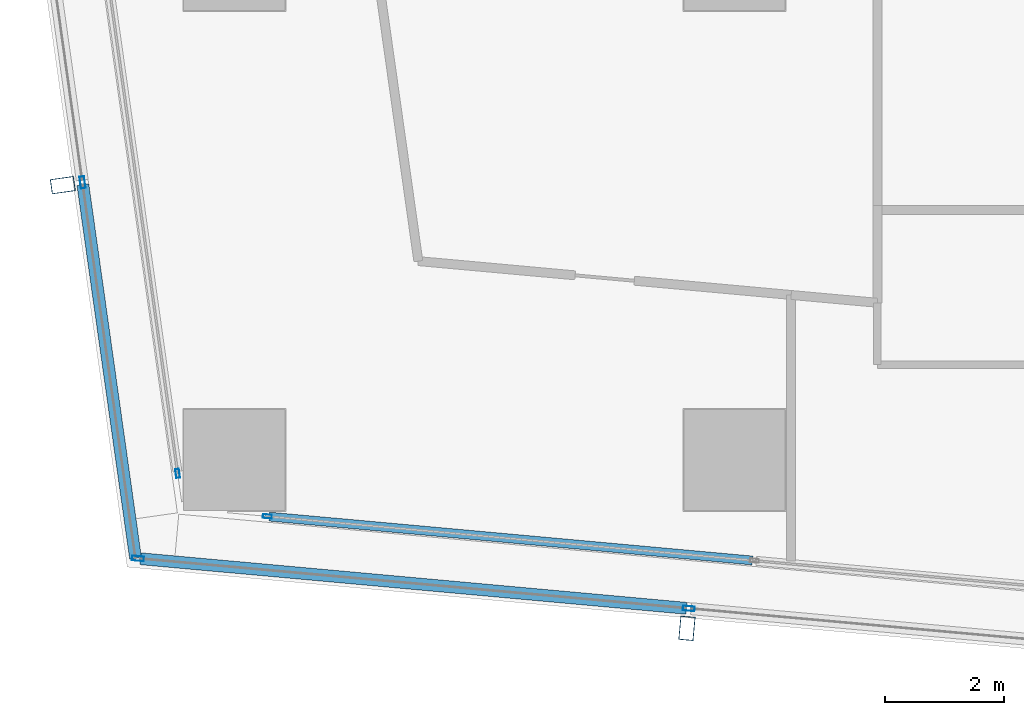
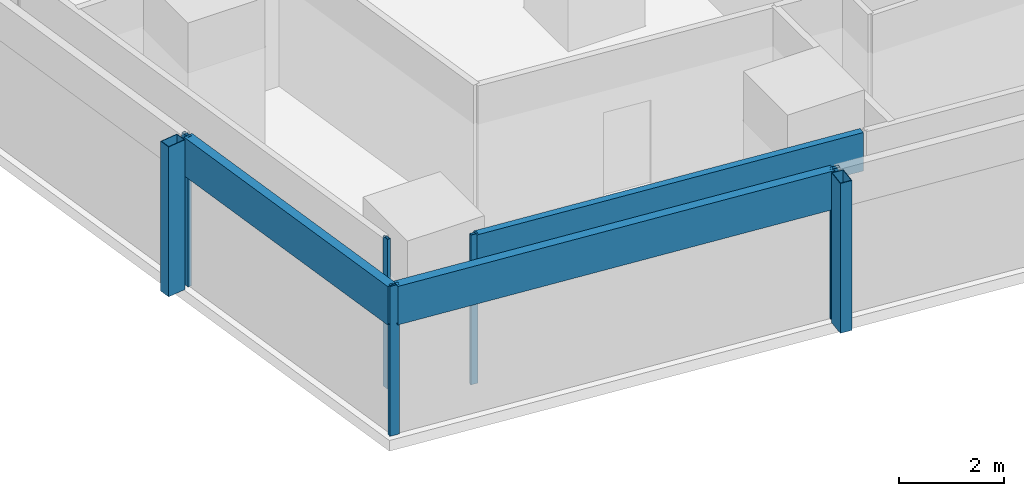
# One storey, part 2 of 40: 10 members, 4 elements without a shape of their own.
"""IFC4 building model written with IfcOpenShell, lengths in metres."""

from ifc_helpers import new_model, si_unit, direction, frame, origin, origin_2d, place, context, subcontext, project, spatial, hollow_rectangle, extrude, material, material_profile, profile_set, type_object, element, aggregate, save


model = new_model("IFC4")

# Units and contexts
model_context = context("Model", 3, precision=1e-05, world=origin(), true_north=direction((0.0, 1.0)))
body_context = subcontext(model_context, "Body", "Model", "MODEL_VIEW")
ifc_project = project(units=[si_unit("LENGTHUNIT", "METRE"), si_unit("AREAUNIT", "SQUARE_METRE"), si_unit("VOLUMEUNIT", "CUBIC_METRE"), si_unit("PLANEANGLEUNIT", "RADIAN"), si_unit("MASSUNIT", "GRAM", prefix="KILO")], contexts=[model_context])

# Site, building, storey
site_placement = place(None, origin())
site = spatial("IfcSite", under=ifc_project, at=site_placement, CompositionType="ELEMENT")
building_placement = place(site_placement, origin())
building = spatial("IfcBuilding", under=site, at=building_placement, Name="Rekha Terrace Tower", CompositionType="ELEMENT")
storey_placement = place(building_placement, frame((0.0, 0.0, 102.800048828125)))
storey = spatial("IfcBuildingStorey", under=building, at=storey_placement, Name="L25", CompositionType="ELEMENT", Elevation=102.800048828125)

# Curtain wall, member
ifc_material_1 = material(Name="Aluminium framing", Category="aluminium")
curtain_wall_type_1 = type_object("IfcCurtainWallType", Name="CW2 double skin outer glazing", PredefinedType="USERDEFINED", material=ifc_material_1)
curtain_wall_1_placement = place(storey_placement, origin())
curtain_wall_1 = element("IfcCurtainWall", 1, at=curtain_wall_1_placement, inside=storey, type_object=curtain_wall_type_1, Name="CW2 double skin outer glazing", ObjectType="DOUBLE SKIN OUTER GLAZING", PredefinedType="USERDEFINED")
ifc_material_2 = material(Name="Steel S355 with fluorocarbon finish", Category="steel")
ifc_material_profile_1 = material_profile(ifc_material_2, hollow_rectangle(XDim=0.25, YDim=0.39990234375, WallThickness=0.012451171875, at=origin_2d()), Name="RHS400x250x12.5")
ifc_profile_set_1 = profile_set([ifc_material_profile_1], Name="Steel S355 with fluorocarbon finish")
member_type_1 = type_object("IfcMemberType", Name="BL1 facade blade RHS 400 x 250", PredefinedType="USERDEFINED", material=ifc_profile_set_1)
member_1_placement = place(storey_placement, frame((16.002197265625, 13.970458984375, 0.0), z_axis=(0.0, 0.0, 1.0), x_axis=(0.995901938317, -0.090439644273, 0.0)))
member_1 = element("IfcMember", 2, at=member_1_placement, type_object=member_type_1, Name="Facade blade", ObjectType="FACADE BLADE", PredefinedType="USERDEFINED", context=body_context, shape_type="SweptSolid", body=[
    extrude(hollow_rectangle(XDim=0.25, YDim=0.39990234375, WallThickness=0.012451171875, at=origin_2d()), origin(), (0.0, 0.0, 1.0), 3.5),
])

curtain_wall_2_placement = place(storey_placement, origin())
curtain_wall_2 = element("IfcCurtainWall", 3, at=curtain_wall_2_placement, inside=storey, type_object=curtain_wall_type_1, Name="CW2 double skin outer glazing", ObjectType="DOUBLE SKIN OUTER GLAZING", PredefinedType="USERDEFINED")
member_2_placement = place(storey_placement, frame((5.51904296875, 21.41455078125, 0.0), z_axis=(0.0, 0.0, 1.0), x_axis=(0.139596532461, -0.990208467003, 0.0)))
member_2 = element("IfcMember", 4, at=member_2_placement, type_object=member_type_1, Name="Facade blade", ObjectType="FACADE BLADE", PredefinedType="USERDEFINED", context=body_context, shape_type="SweptSolid", body=[
    extrude(hollow_rectangle(XDim=0.25, YDim=0.39990234375, WallThickness=0.012451171875, at=origin_2d()), origin(), (0.0, 0.0, 1.0), 3.5),
])

curtain_wall_type_2 = type_object("IfcCurtainWallType", Name="CW1 double skin inner glazing", PredefinedType="USERDEFINED", material=ifc_material_1)
curtain_wall_3_placement = place(storey_placement, origin())
curtain_wall_3 = element("IfcCurtainWall", 5, at=curtain_wall_3_placement, inside=storey, type_object=curtain_wall_type_2, Name="CW1 double skin inner glazing", ObjectType="DOUBLE SKIN INNER GLAZING", PredefinedType="USERDEFINED")
ifc_material_3 = material(Name="Aluminium mullion section", Category="aluminium")
ifc_material_profile_2 = material_profile(ifc_material_3, hollow_rectangle(XDim=0.06494140625, YDim=0.14990234375, WallThickness=0.00390625, at=origin_2d()), Name="AL RHS 65x150")
ifc_profile_set_2 = profile_set([ifc_material_profile_2], Name="Aluminium mullion section")
member_type_2 = type_object("IfcMemberType", Name="CW1 mullion RHS 65 x 150", PredefinedType="MULLION", material=ifc_profile_set_2)
member_3_placement = place(storey_placement, frame((8.953369140625, 15.8505859375, 0.0), z_axis=(0.0, 0.0, 1.0), x_axis=(0.090439811381, 0.995901923142, 0.0)))
member_3 = element("IfcMember", 6, at=member_3_placement, type_object=member_type_2, Name="CW1 mullion 1", PredefinedType="MULLION", context=body_context, shape_type="SweptSolid", body=[
    extrude(hollow_rectangle(XDim=0.06494140625, YDim=0.14990234375, WallThickness=0.00390625, at=origin_2d()), origin(), (0.0, 0.0, 1.0), 3.5),
])

curtain_wall_4_placement = place(storey_placement, origin())
curtain_wall_4 = element("IfcCurtainWall", 7, at=curtain_wall_4_placement, inside=storey, type_object=curtain_wall_type_2, Name="CW1 double skin inner glazing", ObjectType="DOUBLE SKIN INNER GLAZING", PredefinedType="USERDEFINED")
member_4_placement = place(storey_placement, frame((7.448486328125, 16.573974609375, 0.0), z_axis=(0.0, 0.0, 1.0), x_axis=(0.990208394312, 0.139597048082, 0.0)))
member_4 = element("IfcMember", 8, at=member_4_placement, type_object=member_type_2, Name="CW1 mullion 2", PredefinedType="MULLION", context=body_context, shape_type="SweptSolid", body=[
    extrude(hollow_rectangle(XDim=0.06494140625, YDim=0.14990234375, WallThickness=0.00390625, at=origin_2d()), origin(), (0.0, 0.0, 1.0), 3.5),
])
aggregate(curtain_wall_4, [member_4])

# Member
ifc_material_4 = material(Name="Insulated aluminium spandrel box", Category="aluminium")
ifc_material_profile_3 = material_profile(ifc_material_4, hollow_rectangle(XDim=0.14990234375, YDim=0.89990234375, WallThickness=0.0029296875, at=origin_2d()), Name="AL SPANDREL BOX 150x900")
ifc_profile_set_3 = profile_set([ifc_material_profile_3], Name="Insulated aluminium spandrel box")
member_type_3 = type_object("IfcMemberType", Name="CW1 spandrel transom 150 x 900", PredefinedType="USERDEFINED", material=ifc_profile_set_3)
member_5_placement = place(storey_placement, frame((8.98583984375, 15.84765625, 3.050048828125), z_axis=(0.995901551249, -0.090443906483, 0.0), x_axis=(0.090443906483, 0.995901551249, 0.0)))
member_5 = element("IfcMember", 9, at=member_5_placement, type_object=member_type_3, Name="CW1 spandrel transom 1", ObjectType="TRANSOM", PredefinedType="USERDEFINED", context=body_context, shape_type="SweptSolid", body=[
    extrude(hollow_rectangle(XDim=0.14990234375, YDim=0.89990234375, WallThickness=0.0029296875, at=origin_2d()), origin(), (0.0, 0.0, 1.0), 8.1494140625),
])

aggregate(curtain_wall_3, [member_3, member_5])

ifc_material_profile_4 = material_profile(ifc_material_3, hollow_rectangle(XDim=0.080078125, YDim=0.199951171875, WallThickness=0.00390625, at=origin_2d()), Name="AL RHS 80x200")
ifc_profile_set_4 = profile_set([ifc_material_profile_4], Name="Aluminium mullion section")
member_type_4 = type_object("IfcMemberType", Name="CW2 mullion RHS 80 x 200", PredefinedType="MULLION", material=ifc_profile_set_4)
member_6_placement = place(storey_placement, frame((6.780517578125, 15.144287109375, 0.0), z_axis=(0.0, 0.0, 1.0), x_axis=(0.090439811433, 0.995901923137, 0.0)))
member_6 = element("IfcMember", 10, at=member_6_placement, type_object=member_type_4, Name="CW2 mullion 1", PredefinedType="MULLION", context=body_context, shape_type="SweptSolid", body=[
    extrude(hollow_rectangle(XDim=0.080078125, YDim=0.199951171875, WallThickness=0.00390625, at=origin_2d()), origin(), (0.0, 0.0, 1.0), 3.5),
])

member_7_placement = place(storey_placement, frame((16.032470703125, 14.30419921875, 0.0), z_axis=(0.0, 0.0, 1.0), x_axis=(0.090439811433, 0.995901923137, 0.0)))
member_7 = element("IfcMember", 11, at=member_7_placement, type_object=member_type_4, Name="CW2 mullion 2", PredefinedType="MULLION", context=body_context, shape_type="SweptSolid", body=[
    extrude(hollow_rectangle(XDim=0.080078125, YDim=0.199951171875, WallThickness=0.00390625, at=origin_2d()), origin(), (0.0, 0.0, 1.0), 3.5),
])

member_8_placement = place(storey_placement, frame((5.8505859375, 21.46142578125, 0.0), z_axis=(0.0, 0.0, 1.0), x_axis=(0.990208394312, 0.139597048082, 0.0)))
member_8 = element("IfcMember", 12, at=member_8_placement, type_object=member_type_4, Name="CW2 mullion 2", PredefinedType="MULLION", context=body_context, shape_type="SweptSolid", body=[
    extrude(hollow_rectangle(XDim=0.080078125, YDim=0.199951171875, WallThickness=0.00390625, at=origin_2d()), origin(), (0.0, 0.0, 1.0), 3.5),
])

ifc_material_profile_5 = material_profile(ifc_material_4, hollow_rectangle(XDim=0.199951171875, YDim=0.89990234375, WallThickness=0.0029296875, at=origin_2d()), Name="AL SPANDREL BOX 200x900")
ifc_profile_set_5 = profile_set([ifc_material_profile_5], Name="Insulated aluminium spandrel box")
member_type_5 = type_object("IfcMemberType", Name="CW2 spandrel transom 200 x 900", PredefinedType="USERDEFINED", material=ifc_profile_set_5)
member_9_placement = place(storey_placement, frame((6.8203125, 15.140625, 3.050048828125), z_axis=(0.995901458883, -0.090444923548, 0.0), x_axis=(0.090444923548, 0.995901458883, 0.0)))
member_9 = element("IfcMember", 13, at=member_9_placement, type_object=member_type_5, Name="CW2 spandrel transom 1", ObjectType="TRANSOM", PredefinedType="USERDEFINED", context=body_context, shape_type="SweptSolid", body=[
    extrude(hollow_rectangle(XDim=0.199951171875, YDim=0.89990234375, WallThickness=0.0029296875, at=origin_2d()), origin(), (0.0, 0.0, 1.0), 9.210205078125),
])

aggregate(curtain_wall_1, [member_6, member_7, member_9, member_1])

member_10_placement = place(storey_placement, frame((5.856201171875, 21.421875, 3.050048828125), z_axis=(0.139603155616, -0.990207533269, 0.0), x_axis=(0.990207533269, 0.139603155616, 0.0)))
member_10 = element("IfcMember", 14, at=member_10_placement, type_object=member_type_5, Name="CW2 spandrel transom 2", ObjectType="TRANSOM", PredefinedType="USERDEFINED", context=body_context, shape_type="SweptSolid", body=[
    extrude(hollow_rectangle(XDim=0.199951171875, YDim=0.89990234375, WallThickness=0.0029296875, at=origin_2d()), origin(), (0.0, 0.0, 1.0), 6.3359375),
])

aggregate(curtain_wall_2, [member_8, member_10, member_2])

save(model, "model.ifc")
